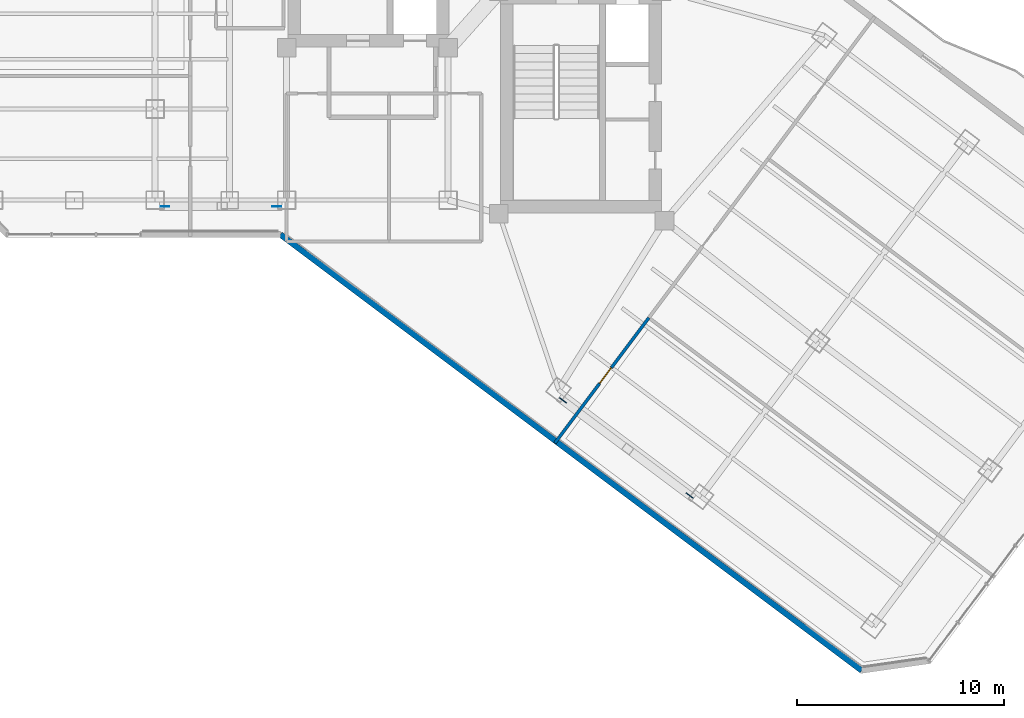
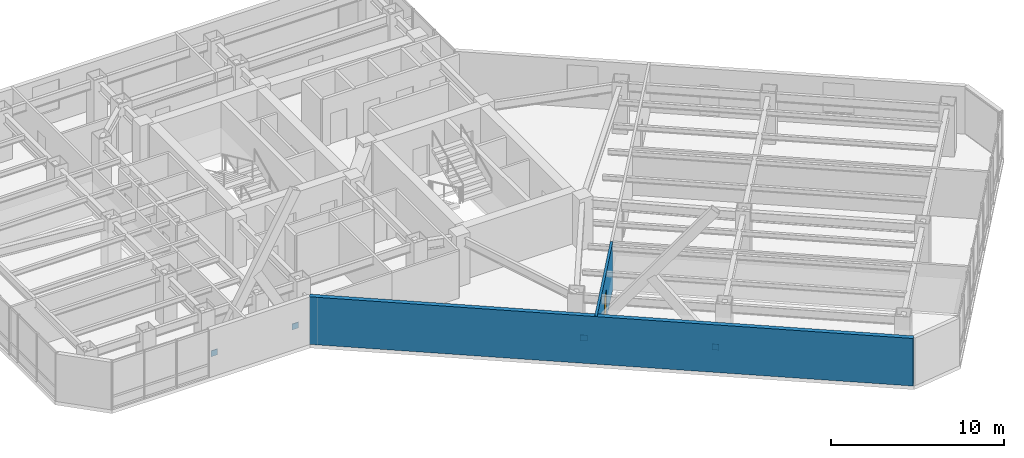
# One storey, part 21 of 29: 4 plates, 2 walls, 1 door, 1 opening.
"""IFC4 building model written with IfcOpenShell, lengths in metres."""

from ifc_helpers import new_model, si_unit, direction, frame, frame_2d, origin, origin_2d, place, context, subcontext, project, spatial, rectangle, extrude, material, layer, layer_set, type_object, element, fill, save


model = new_model("IFC4")

# Units and contexts
model_context = context("Model", 3, precision=1e-05, world=origin(), true_north=direction((0.0, 1.0)))
body_context = subcontext(model_context, "Body", "Model", "MODEL_VIEW")
ifc_project = project(units=[si_unit("LENGTHUNIT", "METRE"), si_unit("AREAUNIT", "SQUARE_METRE"), si_unit("VOLUMEUNIT", "CUBIC_METRE"), si_unit("PLANEANGLEUNIT", "RADIAN"), si_unit("MASSUNIT", "GRAM", prefix="KILO")], contexts=[model_context])

# Site, building, storey
site_placement = place(None, origin())
site = spatial("IfcSite", under=ifc_project, at=site_placement, CompositionType="ELEMENT")
building_placement = place(site_placement, origin())
building = spatial("IfcBuilding", under=site, at=building_placement, Name="Hatsunagi Terrace Concourse", CompositionType="ELEMENT")
storey_placement = place(building_placement, frame((0.0, 0.0, 119.25)))
storey = spatial("IfcBuildingStorey", under=building, at=storey_placement, Name="L31", CompositionType="ELEMENT", Elevation=119.25)

# Plates
ifc_material_1 = material(Name="Steel SN490C", Category="steel")
ifc_layer_1 = layer(ifc_material_1, 0.031982421875)
ifc_layer_set_1 = layer_set([ifc_layer_1], Name="XBraceNodeCapPlate_32")
plate_type = type_object("IfcPlateType", Name="XBraceNodeCapPlate_32", PredefinedType="USERDEFINED", material=ifc_layer_set_1)
for number, where, z_axis, x_axis, name in (
    (1, (19.675048828125, 24.89990234375, 0.22998046875), (0.0, 0.0, 1.0), (1.0, 0.0, 0.0), "Cast-In Core and Node Embed Plate GP-02 EP-XB-L31-W1-AB"),
    (2, (25.074951171875, 24.89990234375, 0.22998046875), (0.0, 0.0, 1.0), (1.0, 0.0, 0.0), "Cast-In Core and Node Embed Plate GP-02 EP-XB-L31-W1-BB"),
    (3, (38.89208984375, 15.531005859375, 0.22998046875), (0.0, 0.0, 1.0), (0.799999996291, -0.600000004945, 0.0), "Cast-In Core and Node Embed Plate GP-02 EP-XB-L31-SE-AB"),
    (4, (45.011962890625, 10.94091796875, 0.22998046875), (0.0, 0.0, 1.0), (0.799999996291, -0.600000004945, 0.0), "Cast-In Core and Node Embed Plate GP-02 EP-XB-L31-SE-BB"),
):
    element("IfcPlate", number, at=place(storey_placement, frame(where, z_axis=z_axis, x_axis=x_axis)), inside=storey, type_object=plate_type, Name=name, ObjectType="GUSSET_PLATE", PredefinedType="USERDEFINED", context=body_context, shape_type="SweptSolid", body=[
        extrude(rectangle(XDim=0.419921875, YDim=0.031982421875, at=origin_2d()), origin(), (0.0, 0.0, 1.0), 0.419921875),
    ])

# Wall, opening, door
ifc_material_2 = material(Name="Acoustic mineral board", Category="gypsum")
ifc_layer_2 = layer(ifc_material_2, 0.14990234375)
ifc_layer_set_2 = layer_set([ifc_layer_2], Name="PartitionWall_EI60_150")
wall_type_1 = type_object("IfcWallType", Name="PartitionWall_EI60_150", PredefinedType="PARTITIONING", material=ifc_layer_set_2)
wall_1_placement = place(storey_placement, frame((38.50390625, 13.471923828125, 0.0), z_axis=(0.0, 0.0, 1.0), x_axis=(0.600005166878, 0.799996124815, 0.0)))
wall_1 = element("IfcWall", 5, at=wall_1_placement, inside=storey, type_object=wall_type_1, Name="Interior Partition IW-L31-042", PredefinedType="PARTITIONING", context=body_context, shape_type="SweptSolid", body=[
    extrude(rectangle(XDim=7.56005859375, YDim=0.14990234375, at=frame_2d((3.780029296875, 0.0))), origin(), (0.0, 0.0, 1.0), 3.35009765625),
])
opening_placement = place(wall_1_placement, frame((3.597900390625, 0.0, 0.0)))
opening = element("IfcOpeningElement", 6, at=opening_placement, cuts=wall_1, Name="Opening DR-095", PredefinedType="OPENING", context=body_context, shape_type="SweptSolid", body=[
    extrude(rectangle(XDim=0.949951171875, YDim=2.14990234375, at=frame_2d((0.47509765625, 1.074951171875))), frame((0.0, 0.0849609375, 0.0), z_axis=(0.0, -1.0, 0.0), x_axis=(1.0, 0.0, 0.0)), (0.0, 0.0, 1.0), 0.169921875),
])
ifc_material_3 = material(Name="Hardwood timber", Category="wood")
door_type = type_object("IfcDoorType", Name="InteriorSuiteDoor_EI30_950", OperationType="NOTDEFINED", PredefinedType="DOOR", material=ifc_material_3)
door_placement = place(opening_placement, origin())
door = element("IfcDoor", 7, at=door_placement, inside=storey, type_object=door_type, Name="Research Focus Suite L31-OSE1 Door", OperationType="SINGLE_SWING_RIGHT", OverallHeight=2.14990234375, OverallWidth=0.949951171875, PredefinedType="DOOR", context=body_context, shape_type="SweptSolid", body=[
    extrude(rectangle(XDim=0.949951171875, YDim=2.14990234375, at=frame_2d((0.47509765625, 1.074951171875))), frame((0.0, 0.02490234375, 0.0), z_axis=(0.0, -1.0, 0.0), x_axis=(1.0, 0.0, 0.0)), (0.0, 0.0, 1.0), 0.050048828125),
])
fill(opening, door)

# Wall
ifc_material_4 = material(Name="Autoclaved Lightweight Concrete and Terracotta Cladding", Category="masonry")
ifc_layer_3 = layer(ifc_material_4, 0.280029296875)
ifc_layer_set_3 = layer_set([ifc_layer_3], Name="TerracottaSpandrelWall_280")
wall_type_2 = type_object("IfcWallType", Name="TerracottaSpandrelWall_280", PredefinedType="STANDARD", material=ifc_layer_set_3)
wall_2_placement = place(storey_placement, frame((53.318115234375, 2.487060546875, 0.0), z_axis=(0.0, 0.0, 1.0), x_axis=(-0.800004174678, 0.599994433723, 0.0)))
element("IfcWall", 8, at=wall_2_placement, inside=storey, type_object=wall_type_2, Name="Exterior Spandrel Wall EW-L31-05", PredefinedType="STANDARD", context=body_context, shape_type="SweptSolid", body=[
    extrude(rectangle(XDim=35.088623046875, YDim=0.280029296875, at=frame_2d((17.54443359375, 0.0))), origin(), (0.0, 0.0, 1.0), 3.35009765625),
])

save(model, "model.ifc")
